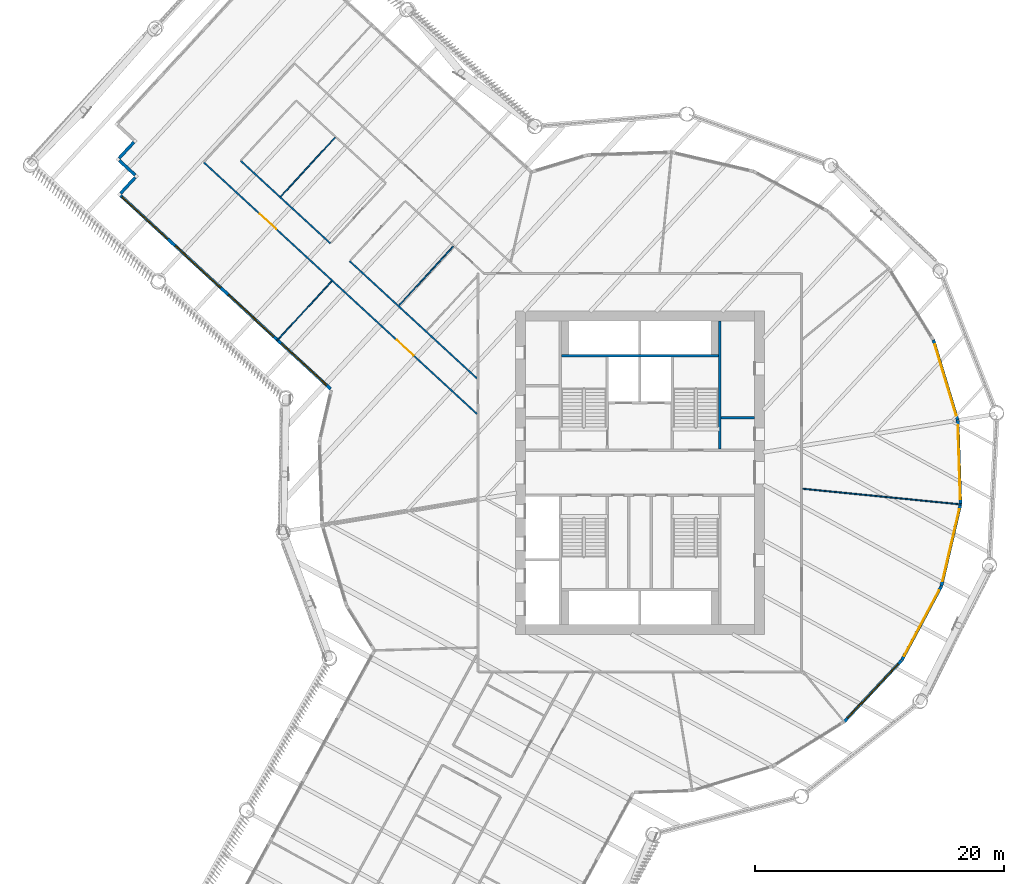
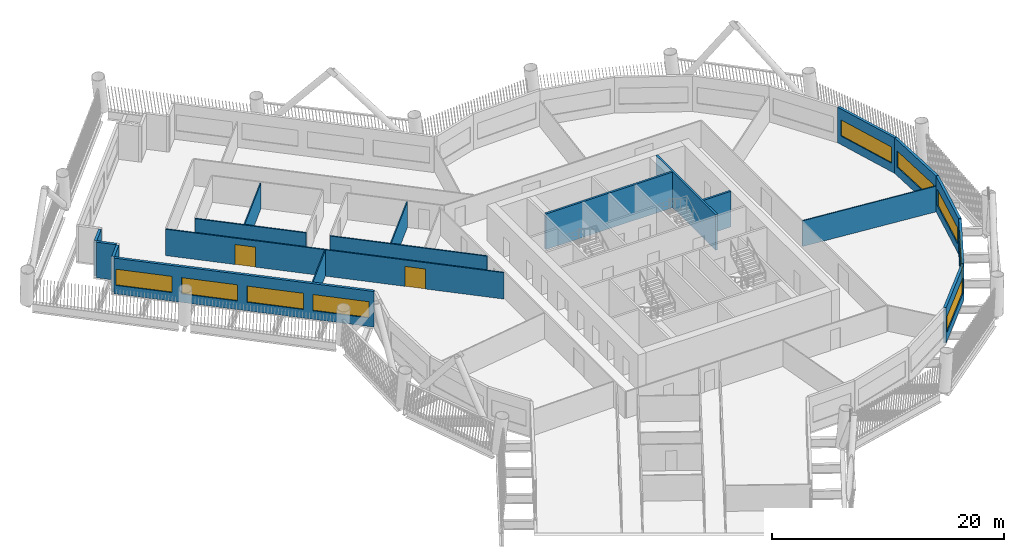
# One storey, part 6 of 24: 19 walls, 9 windows, 2 doors, 11 openings.
"""IFC4 building model written with IfcOpenShell, lengths in metres."""

from ifc_helpers import new_model, si_unit, direction, frame, frame_2d, origin, place, context, subcontext, project, spatial, rectangle, extrude, material, layer, layer_set, type_object, element, fill, save


model = new_model("IFC4")

# Units and contexts
model_context = context("Model", 3, precision=1e-05, world=origin(), true_north=direction((0.0, 1.0)))
body_context = subcontext(model_context, "Body", "Model", "MODEL_VIEW")
ifc_project = project(units=[si_unit("LENGTHUNIT", "METRE"), si_unit("AREAUNIT", "SQUARE_METRE"), si_unit("VOLUMEUNIT", "CUBIC_METRE"), si_unit("PLANEANGLEUNIT", "RADIAN"), si_unit("MASSUNIT", "GRAM", prefix="KILO")], contexts=[model_context])

# Site, building, storey
site_placement = place(None, origin())
site = spatial("IfcSite", under=ifc_project, at=site_placement, CompositionType="ELEMENT")
building_placement = place(site_placement, origin())
building = spatial("IfcBuilding", under=site, at=building_placement, Name="Tarsis Ring Headquarters", CompositionType="ELEMENT")
storey_placement = place(building_placement, frame((0.0, 0.0, 92.800048828125)))
storey = spatial("IfcBuildingStorey", under=building, at=storey_placement, Name="L20", CompositionType="ELEMENT", Elevation=92.800048828125)

# Walls
ifc_material_1 = material(Name="Blockwork", Category="masonry")
ifc_layer_1 = layer(ifc_material_1, 0.199951171875)
ifc_layer_set_1 = layer_set([ifc_layer_1], Name="Core blockwork wall 200")
wall_type_1 = type_object("IfcWallType", Name="Core blockwork wall 200", PredefinedType="PARTITIONING", material=ifc_layer_set_1)
wall_1_placement = place(storey_placement, frame((6.5, 4.39990234375, 0.0), z_axis=(0.0, 0.0, 1.0), x_axis=(1.0, 0.0, 0.0)))
element("IfcWall", 1, at=wall_1_placement, inside=storey, type_object=wall_type_1, Name="Core partition ED5", PredefinedType="PARTITIONING", context=body_context, shape_type="SweptSolid", body=[
    extrude(rectangle(XDim=2.699951171875, YDim=0.199951171875, at=frame_2d((1.35009765625, 0.0))), origin(), (0.0, 0.0, 1.0), 3.739990234375),
])
ifc_material_2 = material(Name="Gypsum board on steel studs", Category="steel")
ifc_layer_2 = layer(ifc_material_2, 0.10009765625)
ifc_layer_set_2 = layer_set([ifc_layer_2], Name="FL partition 100 unrated")
wall_type_2 = type_object("IfcWallType", Name="FL partition 100 unrated", PredefinedType="PARTITIONING", material=ifc_layer_set_2)
wall_2_placement = place(storey_placement, frame((13.069580078125, -1.290771484375, 0.0), z_axis=(0.0, 0.0, 1.0), x_axis=(0.995159975555, -0.098268118195, 0.0)))
element("IfcWall", 2, at=wall_2_placement, inside=storey, type_object=wall_type_2, Name="Partition PW3", PredefinedType="PARTITIONING", context=body_context, shape_type="SweptSolid", body=[
    extrude(rectangle(XDim=12.814697265625, YDim=0.10009765625, at=frame_2d((6.4072265625, 0.0))), origin(), (0.0, 0.0, 1.0), 2.699951171875),
])
for number, where, z_axis, x_axis, name in (
    (3, (-19.34326171875, 13.434814453125, 0.0), (0.0, 0.0, 1.0), (0.67739154811, 0.735622655, 0.0), "Partition PW3"),
    (4, (-28.840087890625, 22.179931640625, 0.0), (0.0, 0.0, 1.0), (0.67739154811, 0.735622655, 0.0), "Partition PW3"),
):
    element("IfcWall", number, at=place(storey_placement, frame(where, z_axis=z_axis, x_axis=x_axis)), inside=storey, type_object=wall_type_2, Name=name, PredefinedType="PARTITIONING", context=body_context, shape_type="SweptSolid", body=[
        extrude(rectangle(XDim=6.43994140625, YDim=0.10009765625, at=frame_2d((3.219970703125, 0.0))), origin(), (0.0, 0.0, 1.0), 2.699951171875),
    ])
wall_3_placement = place(storey_placement, frame((-29.1484375, 10.59619140625, 0.0), z_axis=(0.0, 0.0, 1.0), x_axis=(0.677390591331, 0.73562353604, 0.0)))
element("IfcWall", 5, at=wall_3_placement, inside=storey, type_object=wall_type_2, Name="Partition PW3", PredefinedType="PARTITIONING", context=body_context, shape_type="SweptSolid", body=[
    extrude(rectangle(XDim=6.489990234375, YDim=0.10009765625, at=frame_2d((3.2451171875, 0.0))), origin(), (0.0, 0.0, 1.0), 2.699951171875),
])

# Wall, openings, doors
ifc_layer_3 = layer(ifc_material_2, 0.125)
ifc_layer_set_3 = layer_set([ifc_layer_3], Name="FL partition 125 EI 60 H2770")
wall_type_3 = type_object("IfcWallType", Name="FL partition 125 EI 60 H2770", PredefinedType="PARTITIONING", material=ifc_layer_set_3)
wall_4_placement = place(storey_placement, frame((-35.025390625, 24.92578125, 0.0), z_axis=(0.0, 0.0, 1.0), x_axis=(0.7356170548, -0.677397629673, 0.0)))
wall_4 = element("IfcWall", 6, at=wall_4_placement, inside=storey, type_object=wall_type_3, Name="Partition PW1", PredefinedType="PARTITIONING", context=body_context, shape_type="SweptSolid", body=[
    extrude(rectangle(XDim=29.811279296875, YDim=0.125, at=frame_2d((14.90576171875, 0.0))), origin(), (0.0, 0.0, 1.0), 2.77001953125),
])
opening_1_placement = place(wall_4_placement, frame((6.114501953125, 0.0, 0.0)))
opening_1 = element("IfcOpeningElement", 7, at=opening_1_placement, cuts=wall_4, Name="Opening D20.01", PredefinedType="OPENING", context=body_context, shape_type="SweptSolid", body=[
    extrude(rectangle(XDim=1.800048828125, YDim=2.10009765625, at=frame_2d((0.89990234375, 1.050048828125))), frame((0.0, 0.072509765625, 0.0), z_axis=(0.0, -1.0, 0.0), x_axis=(1.0, 0.0, 0.0)), (0.0, 0.0, 1.0), 0.14501953125),
])
opening_2_placement = place(wall_4_placement, frame((21.085205078125, 0.0, 0.0)))
opening_2 = element("IfcOpeningElement", 8, at=opening_2_placement, cuts=wall_4, Name="Opening D20.12", PredefinedType="OPENING", context=body_context, shape_type="SweptSolid", body=[
    extrude(rectangle(XDim=1.800048828125, YDim=2.10009765625, at=frame_2d((0.89990234375, 1.050048828125))), frame((0.0, 0.072509765625, 0.0), z_axis=(0.0, -1.0, 0.0), x_axis=(1.0, 0.0, 0.0)), (0.0, 0.0, 1.0), 0.14501953125),
])
ifc_material_3 = material(Name="Fire-rated timber door leaf in steel frame", Category="steel")
door_type = type_object("IfcDoorType", Name="FL door FD60-1800", OperationType="DOUBLE_DOOR_SINGLE_SWING", PredefinedType="DOOR", material=ifc_material_3)
door_1_placement = place(opening_1_placement, origin())
door_1 = element("IfcDoor", 9, at=door_1_placement, inside=storey, type_object=door_type, Name="Door D20.01", OperationType="DOUBLE_DOOR_SINGLE_SWING", OverallHeight=2.10009765625, OverallWidth=1.800048828125, PredefinedType="DOOR", context=body_context, shape_type="SweptSolid", body=[
    extrude(rectangle(XDim=1.800048828125, YDim=2.10009765625, at=frame_2d((0.89990234375, 1.050048828125))), frame((0.0, 0.02490234375, 0.0), z_axis=(0.0, -1.0, 0.0), x_axis=(1.0, 0.0, 0.0)), (0.0, 0.0, 1.0), 0.050048828125),
])
fill(opening_1, door_1)
door_2_placement = place(opening_2_placement, origin())
door_2 = element("IfcDoor", 10, at=door_2_placement, inside=storey, type_object=door_type, Name="Door D20.12", OperationType="DOUBLE_DOOR_SINGLE_SWING", OverallHeight=2.10009765625, OverallWidth=1.800048828125, PredefinedType="DOOR", context=body_context, shape_type="SweptSolid", body=[
    extrude(rectangle(XDim=1.800048828125, YDim=2.10009765625, at=frame_2d((0.89990234375, 1.050048828125))), frame((0.0, 0.02490234375, 0.0), z_axis=(0.0, -1.0, 0.0), x_axis=(1.0, 0.0, 0.0)), (0.0, 0.0, 1.0), 0.050048828125),
])
fill(opening_2, door_2)

# Walls
wall_5_placement = place(storey_placement, frame((-23.30419921875, 16.987060546875, 0.0), z_axis=(0.0, 0.0, 1.0), x_axis=(0.735614311374, -0.677400608874, 0.0)))
element("IfcWall", 11, at=wall_5_placement, inside=storey, type_object=wall_type_3, Name="Partition PW1", PredefinedType="PARTITIONING", context=body_context, shape_type="SweptSolid", body=[
    extrude(rectangle(XDim=13.87744140625, YDim=0.125, at=frame_2d((6.938720703125, 0.0))), origin(), (0.0, 0.0, 1.0), 2.77001953125),
])
wall_6_placement = place(storey_placement, frame((-32.05810546875, 25.0478515625, 0.0), z_axis=(0.0, 0.0, 1.0), x_axis=(0.735617626412, -0.677397008933, 0.0)))
element("IfcWall", 12, at=wall_6_placement, inside=storey, type_object=wall_type_3, Name="Partition PW1", PredefinedType="PARTITIONING", context=body_context, shape_type="SweptSolid", body=[
    extrude(rectangle(XDim=9.7998046875, YDim=0.125, at=frame_2d((4.89990234375, 0.0))), origin(), (0.0, 0.0, 1.0), 2.77001953125),
])

# Wall, openings, windows
ifc_material_4 = material(Name="Terracotta clad insulated panel wall", Category="masonry")
ifc_layer_4 = layer(ifc_material_4, 0.25)
ifc_layer_set_4 = layer_set([ifc_layer_4], Name="Facade wall terracotta panel 250")
wall_type_4 = type_object("IfcWallType", Name="Facade wall terracotta panel 250", PredefinedType="STANDARD", material=ifc_layer_set_4)
wall_7_placement = place(storey_placement, frame((-41.69873046875, 22.255126953125, 0.0), z_axis=(0.0, 0.0, 1.0), x_axis=(0.735621640776, -0.677392649519, 0.0)))
wall_7 = element("IfcWall", 13, at=wall_7_placement, inside=storey, type_object=wall_type_4, Name="External wall L20-01", PredefinedType="STANDARD", context=body_context, shape_type="SweptSolid", body=[
    extrude(rectangle(XDim=22.921875, YDim=0.25, at=frame_2d((11.4609375, 0.0))), origin(), (0.0, 0.0, 1.0), 3.739990234375),
])
opening_3_placement = place(wall_7_placement, frame((0.17138671875, 0.0, 0.89990234375)))
opening_3 = element("IfcOpeningElement", 14, at=opening_3_placement, cuts=wall_7, Name="Opening WN05", PredefinedType="OPENING", context=body_context, shape_type="SweptSolid", body=[
    extrude(rectangle(XDim=4.949951171875, YDim=1.699951171875, at=frame_2d((2.47509765625, 0.85009765625))), frame((0.0, 0.135009765625, 0.0), z_axis=(0.0, -1.0, 0.0), x_axis=(1.0, 0.0, 0.0)), (0.0, 0.0, 1.0), 0.27001953125),
])
opening_4_placement = place(wall_7_placement, frame((5.964599609375, 0.0, 0.89990234375)))
opening_4 = element("IfcOpeningElement", 15, at=opening_4_placement, cuts=wall_7, Name="Opening WN05", PredefinedType="OPENING", context=body_context, shape_type="SweptSolid", body=[
    extrude(rectangle(XDim=4.949951171875, YDim=1.699951171875, at=frame_2d((2.47509765625, 0.85009765625))), frame((0.0, 0.135009765625, 0.0), z_axis=(0.0, -1.0, 0.0), x_axis=(1.0, 0.0, 0.0)), (0.0, 0.0, 1.0), 0.27001953125),
])
opening_5_placement = place(wall_7_placement, frame((11.757568359375, 0.0, 0.89990234375)))
opening_5 = element("IfcOpeningElement", 16, at=opening_5_placement, cuts=wall_7, Name="Opening WN05", PredefinedType="OPENING", context=body_context, shape_type="SweptSolid", body=[
    extrude(rectangle(XDim=4.949951171875, YDim=1.699951171875, at=frame_2d((2.47509765625, 0.85009765625))), frame((0.0, 0.135009765625, 0.0), z_axis=(0.0, -1.0, 0.0), x_axis=(1.0, 0.0, 0.0)), (0.0, 0.0, 1.0), 0.27001953125),
])
opening_6_placement = place(wall_7_placement, frame((17.550537109375, 0.0, 0.89990234375)))
opening_6 = element("IfcOpeningElement", 17, at=opening_6_placement, cuts=wall_7, Name="Opening WN05", PredefinedType="OPENING", context=body_context, shape_type="SweptSolid", body=[
    extrude(rectangle(XDim=4.949951171875, YDim=1.699951171875, at=frame_2d((2.47509765625, 0.85009765625))), frame((0.0, 0.135009765625, 0.0), z_axis=(0.0, -1.0, 0.0), x_axis=(1.0, 0.0, 0.0)), (0.0, 0.0, 1.0), 0.27001953125),
])
ifc_material_5 = material(Name="Aluminium framed double glazing", Category="aluminium")
window_type_1 = type_object("IfcWindowType", Name="Facade window 4950 x 1700", PartitioningType="SINGLE_PANEL", PredefinedType="WINDOW", material=ifc_material_5)
window_1_placement = place(opening_3_placement, origin())
window_1 = element("IfcWindow", 18, at=window_1_placement, inside=storey, type_object=window_type_1, Name="Window L20-01.1", OverallHeight=1.699951171875, OverallWidth=4.949951171875, PartitioningType="SINGLE_PANEL", PredefinedType="WINDOW", context=body_context, shape_type="SweptSolid", body=[
    extrude(rectangle(XDim=4.949951171875, YDim=1.699951171875, at=frame_2d((2.47509765625, 0.85009765625))), frame((0.0, 0.030029296875, 0.0), z_axis=(0.0, -1.0, 0.0), x_axis=(1.0, 0.0, 0.0)), (0.0, 0.0, 1.0), 0.06005859375),
])
fill(opening_3, window_1)
window_2_placement = place(opening_4_placement, origin())
window_2 = element("IfcWindow", 19, at=window_2_placement, inside=storey, type_object=window_type_1, Name="Window L20-01.2", OverallHeight=1.699951171875, OverallWidth=4.949951171875, PartitioningType="SINGLE_PANEL", PredefinedType="WINDOW", context=body_context, shape_type="SweptSolid", body=[
    extrude(rectangle(XDim=4.949951171875, YDim=1.699951171875, at=frame_2d((2.47509765625, 0.85009765625))), frame((0.0, 0.030029296875, 0.0), z_axis=(0.0, -1.0, 0.0), x_axis=(1.0, 0.0, 0.0)), (0.0, 0.0, 1.0), 0.06005859375),
])
fill(opening_4, window_2)
window_3_placement = place(opening_5_placement, origin())
window_3 = element("IfcWindow", 20, at=window_3_placement, inside=storey, type_object=window_type_1, Name="Window L20-01.3", OverallHeight=1.699951171875, OverallWidth=4.949951171875, PartitioningType="SINGLE_PANEL", PredefinedType="WINDOW", context=body_context, shape_type="SweptSolid", body=[
    extrude(rectangle(XDim=4.949951171875, YDim=1.699951171875, at=frame_2d((2.47509765625, 0.85009765625))), frame((0.0, 0.030029296875, 0.0), z_axis=(0.0, -1.0, 0.0), x_axis=(1.0, 0.0, 0.0)), (0.0, 0.0, 1.0), 0.06005859375),
])
fill(opening_5, window_3)
window_4_placement = place(opening_6_placement, origin())
window_4 = element("IfcWindow", 21, at=window_4_placement, inside=storey, type_object=window_type_1, Name="Window L20-01.4", OverallHeight=1.699951171875, OverallWidth=4.949951171875, PartitioningType="SINGLE_PANEL", PredefinedType="WINDOW", context=body_context, shape_type="SweptSolid", body=[
    extrude(rectangle(XDim=4.949951171875, YDim=1.699951171875, at=frame_2d((2.47509765625, 0.85009765625))), frame((0.0, 0.030029296875, 0.0), z_axis=(0.0, -1.0, 0.0), x_axis=(1.0, 0.0, 0.0)), (0.0, 0.0, 1.0), 0.06005859375),
])
fill(opening_6, window_4)

# Wall, opening, window
wall_8_placement = place(storey_placement, frame((16.420166015625, -19.9931640625, 0.0), z_axis=(0.0, 0.0, 1.0), x_axis=(0.683779215508, 0.729688964175, 0.0)))
wall_8 = element("IfcWall", 22, at=wall_8_placement, inside=storey, type_object=wall_type_4, Name="External wall L20-20", PredefinedType="STANDARD", context=body_context, shape_type="SweptSolid", body=[
    extrude(rectangle(XDim=6.7216796875, YDim=0.25, at=frame_2d((3.36083984375, 0.0))), origin(), (0.0, 0.0, 1.0), 3.739990234375),
])
opening_7_placement = place(wall_8_placement, frame((0.3857421875, 0.0, 0.89990234375)))
opening_7 = element("IfcOpeningElement", 23, at=opening_7_placement, cuts=wall_8, Name="Opening WN07", PredefinedType="OPENING", context=body_context, shape_type="SweptSolid", body=[
    extrude(rectangle(XDim=5.949951171875, YDim=1.699951171875, at=frame_2d((2.97509765625, 0.85009765625))), frame((0.0, 0.135009765625, 0.0), z_axis=(0.0, -1.0, 0.0), x_axis=(1.0, 0.0, 0.0)), (0.0, 0.0, 1.0), 0.27001953125),
])
window_type_2 = type_object("IfcWindowType", Name="Facade window 5950 x 1700", PartitioningType="SINGLE_PANEL", PredefinedType="WINDOW", material=ifc_material_5)
window_5_placement = place(opening_7_placement, origin())
window_5 = element("IfcWindow", 24, at=window_5_placement, inside=storey, type_object=window_type_2, Name="Window L20-20.1", OverallHeight=1.699951171875, OverallWidth=5.949951171875, PartitioningType="SINGLE_PANEL", PredefinedType="WINDOW", context=body_context, shape_type="SweptSolid", body=[
    extrude(rectangle(XDim=5.949951171875, YDim=1.699951171875, at=frame_2d((2.97509765625, 0.85009765625))), frame((0.0, 0.030029296875, 0.0), z_axis=(0.0, -1.0, 0.0), x_axis=(1.0, 0.0, 0.0)), (0.0, 0.0, 1.0), 0.06005859375),
])
fill(opening_7, window_5)

wall_9_placement = place(storey_placement, frame((21.035400390625, -15.06201171875, 0.0), z_axis=(0.0, 0.0, 1.0), x_axis=(0.471613498576, 0.881805368526, 0.0)))
wall_9 = element("IfcWall", 25, at=wall_9_placement, inside=storey, type_object=wall_type_4, Name="External wall L20-21", PredefinedType="STANDARD", context=body_context, shape_type="SweptSolid", body=[
    extrude(rectangle(XDim=6.721435546875, YDim=0.25, at=frame_2d((3.36083984375, 0.0))), origin(), (0.0, 0.0, 1.0), 3.739990234375),
])
opening_8_placement = place(wall_9_placement, frame((0.3857421875, 0.0, 0.89990234375)))
opening_8 = element("IfcOpeningElement", 26, at=opening_8_placement, cuts=wall_9, Name="Opening WN07", PredefinedType="OPENING", context=body_context, shape_type="SweptSolid", body=[
    extrude(rectangle(XDim=5.949951171875, YDim=1.699951171875, at=frame_2d((2.97509765625, 0.85009765625))), frame((0.0, 0.135009765625, 0.0), z_axis=(0.0, -1.0, 0.0), x_axis=(1.0, 0.0, 0.0)), (0.0, 0.0, 1.0), 0.27001953125),
])
window_6_placement = place(opening_8_placement, origin())
window_6 = element("IfcWindow", 27, at=window_6_placement, inside=storey, type_object=window_type_2, Name="Window L20-21.1", OverallHeight=1.699951171875, OverallWidth=5.949951171875, PartitioningType="SINGLE_PANEL", PredefinedType="WINDOW", context=body_context, shape_type="SweptSolid", body=[
    extrude(rectangle(XDim=5.949951171875, YDim=1.699951171875, at=frame_2d((2.97509765625, 0.85009765625))), frame((0.0, 0.030029296875, 0.0), z_axis=(0.0, -1.0, 0.0), x_axis=(1.0, 0.0, 0.0)), (0.0, 0.0, 1.0), 0.06005859375),
])
fill(opening_8, window_6)

wall_10_placement = place(storey_placement, frame((24.216796875, -9.1044921875, 0.0), z_axis=(0.0, 0.0, 1.0), x_axis=(0.227336397214, 0.97381628786, 0.0)))
wall_10 = element("IfcWall", 28, at=wall_10_placement, inside=storey, type_object=wall_type_4, Name="External wall L20-22", PredefinedType="STANDARD", context=body_context, shape_type="SweptSolid", body=[
    extrude(rectangle(XDim=6.7216796875, YDim=0.25, at=frame_2d((3.36083984375, 0.0))), origin(), (0.0, 0.0, 1.0), 3.739990234375),
])
opening_9_placement = place(wall_10_placement, frame((0.3857421875, 0.0, 0.89990234375)))
opening_9 = element("IfcOpeningElement", 29, at=opening_9_placement, cuts=wall_10, Name="Opening WN07", PredefinedType="OPENING", context=body_context, shape_type="SweptSolid", body=[
    extrude(rectangle(XDim=5.949951171875, YDim=1.699951171875, at=frame_2d((2.97509765625, 0.85009765625))), frame((0.0, 0.135009765625, 0.0), z_axis=(0.0, -1.0, 0.0), x_axis=(1.0, 0.0, 0.0)), (0.0, 0.0, 1.0), 0.27001953125),
])
window_7_placement = place(opening_9_placement, origin())
window_7 = element("IfcWindow", 30, at=window_7_placement, inside=storey, type_object=window_type_2, Name="Window L20-22.1", OverallHeight=1.699951171875, OverallWidth=5.949951171875, PartitioningType="SINGLE_PANEL", PredefinedType="WINDOW", context=body_context, shape_type="SweptSolid", body=[
    extrude(rectangle(XDim=5.949951171875, YDim=1.699951171875, at=frame_2d((2.97509765625, 0.85009765625))), frame((0.0, 0.030029296875, 0.0), z_axis=(0.0, -1.0, 0.0), x_axis=(1.0, 0.0, 0.0)), (0.0, 0.0, 1.0), 0.06005859375),
])
fill(opening_9, window_7)

wall_11_placement = place(storey_placement, frame((25.748046875, -2.5263671875, 0.0), z_axis=(0.0, 0.0, 1.0), x_axis=(-0.032435589935, 0.999473827824, 0.0)))
wall_11 = element("IfcWall", 31, at=wall_11_placement, inside=storey, type_object=wall_type_4, Name="External wall L20-23", PredefinedType="STANDARD", context=body_context, shape_type="SweptSolid", body=[
    extrude(rectangle(XDim=6.721435546875, YDim=0.25, at=frame_2d((3.36083984375, 0.0))), origin(), (0.0, 0.0, 1.0), 3.739990234375),
])
opening_10_placement = place(wall_11_placement, frame((0.3857421875, 0.0, 0.89990234375)))
opening_10 = element("IfcOpeningElement", 32, at=opening_10_placement, cuts=wall_11, Name="Opening WN07", PredefinedType="OPENING", context=body_context, shape_type="SweptSolid", body=[
    extrude(rectangle(XDim=5.949951171875, YDim=1.699951171875, at=frame_2d((2.97509765625, 0.85009765625))), frame((0.0, 0.135009765625, 0.0), z_axis=(0.0, -1.0, 0.0), x_axis=(1.0, 0.0, 0.0)), (0.0, 0.0, 1.0), 0.27001953125),
])
window_8_placement = place(opening_10_placement, origin())
window_8 = element("IfcWindow", 33, at=window_8_placement, inside=storey, type_object=window_type_2, Name="Window L20-23.1", OverallHeight=1.699951171875, OverallWidth=5.949951171875, PartitioningType="SINGLE_PANEL", PredefinedType="WINDOW", context=body_context, shape_type="SweptSolid", body=[
    extrude(rectangle(XDim=5.949951171875, YDim=1.699951171875, at=frame_2d((2.97509765625, 0.85009765625))), frame((0.0, 0.030029296875, 0.0), z_axis=(0.0, -1.0, 0.0), x_axis=(1.0, 0.0, 0.0)), (0.0, 0.0, 1.0), 0.06005859375),
])
fill(opening_10, window_8)

wall_12_placement = place(storey_placement, frame((25.524658203125, 4.223876953125, 0.0), z_axis=(0.0, 0.0, 1.0), x_axis=(-0.290032597703, 0.957016766974, 0.0)))
wall_12 = element("IfcWall", 34, at=wall_12_placement, inside=storey, type_object=wall_type_4, Name="External wall L20-24", PredefinedType="STANDARD", context=body_context, shape_type="SweptSolid", body=[
    extrude(rectangle(XDim=6.721435546875, YDim=0.25, at=frame_2d((3.36083984375, 0.0))), origin(), (0.0, 0.0, 1.0), 3.739990234375),
])
opening_11_placement = place(wall_12_placement, frame((0.3857421875, 0.0, 0.89990234375)))
opening_11 = element("IfcOpeningElement", 35, at=opening_11_placement, cuts=wall_12, Name="Opening WN07", PredefinedType="OPENING", context=body_context, shape_type="SweptSolid", body=[
    extrude(rectangle(XDim=5.949951171875, YDim=1.699951171875, at=frame_2d((2.97509765625, 0.85009765625))), frame((0.0, 0.135009765625, 0.0), z_axis=(0.0, -1.0, 0.0), x_axis=(1.0, 0.0, 0.0)), (0.0, 0.0, 1.0), 0.27001953125),
])
window_9_placement = place(opening_11_placement, origin())
window_9 = element("IfcWindow", 36, at=window_9_placement, inside=storey, type_object=window_type_2, Name="Window L20-24.1", OverallHeight=1.699951171875, OverallWidth=5.949951171875, PartitioningType="SINGLE_PANEL", PredefinedType="WINDOW", context=body_context, shape_type="SweptSolid", body=[
    extrude(rectangle(XDim=5.949951171875, YDim=1.699951171875, at=frame_2d((2.97509765625, 0.85009765625))), frame((0.0, 0.030029296875, 0.0), z_axis=(0.0, -1.0, 0.0), x_axis=(1.0, 0.0, 0.0)), (0.0, 0.0, 1.0), 0.06005859375),
])
fill(opening_11, window_9)

# Walls
wall_13_placement = place(storey_placement, frame((-40.63720703125, 26.544921875, 0.0), z_axis=(0.0, 0.0, 1.0), x_axis=(-0.677416155776, -0.73559999449, 0.0)))
element("IfcWall", 37, at=wall_13_placement, inside=storey, type_object=wall_type_4, Name="External wall L20-38", PredefinedType="STANDARD", context=body_context, shape_type="SweptSolid", body=[
    extrude(rectangle(XDim=1.749755859375, YDim=0.25, at=frame_2d((0.875, 0.0))), origin(), (0.0, 0.0, 1.0), 3.739990234375),
])
for number, where, z_axis, x_axis, name in (
    (38, (-41.815185546875, 25.0810546875, 0.0), (0.0, 0.0, 1.0), (0.735664013736, -0.677346631271, 0.0), "External wall L20-39"),
    (39, (-40.520751953125, 23.718994140625, 0.0), (0.0, 0.0, 1.0), (-0.677346631271, -0.735664013736, 0.0), "External wall L20-40"),
):
    element("IfcWall", number, at=place(storey_placement, frame(where, z_axis=z_axis, x_axis=x_axis)), inside=storey, type_object=wall_type_4, Name=name, PredefinedType="STANDARD", context=body_context, shape_type="SweptSolid", body=[
        extrude(rectangle(XDim=1.75, YDim=0.25, at=frame_2d((0.875, 0.0))), origin(), (0.0, 0.0, 1.0), 3.739990234375),
    ])
ifc_material_6 = material(Name="Concrete C32/40", Category="concrete")
ifc_layer_5 = layer(ifc_material_6, 0.199951171875)
ifc_layer_set_5 = layer_set([ifc_layer_5], Name="Shaft wall 200 C32/40")
wall_type_5 = type_object("IfcWallType", Name="Shaft wall 200 C32/40", PredefinedType="SOLIDWALL", material=ifc_layer_set_5)
wall_14_placement = place(storey_placement, frame((6.39990234375, 1.89990234375, 0.0), z_axis=(0.0, 0.0, 1.0), x_axis=(0.0, 1.0, 0.0)))
element("IfcWall", 40, at=wall_14_placement, inside=storey, type_object=wall_type_5, Name="Core shaft wall EB2", PredefinedType="SOLIDWALL", context=body_context, shape_type="SweptSolid", body=[
    extrude(rectangle(XDim=10.300048828125, YDim=0.199951171875, at=frame_2d((5.14990234375, 0.0))), origin(), (0.0, 0.0, 1.0), 3.739990234375),
])
wall_15_placement = place(storey_placement, frame((-6.300048828125, 9.39990234375, 0.0), z_axis=(0.0, 0.0, 1.0), x_axis=(1.0, 0.0, 0.0)))
element("IfcWall", 41, at=wall_15_placement, inside=storey, type_object=wall_type_5, Name="Core shaft wall NB", PredefinedType="SOLIDWALL", context=body_context, shape_type="SweptSolid", body=[
    extrude(rectangle(XDim=12.60009765625, YDim=0.199951171875, at=frame_2d((6.300048828125, 0.0))), origin(), (0.0, 0.0, 1.0), 3.739990234375),
])

save(model, "model.ifc")
